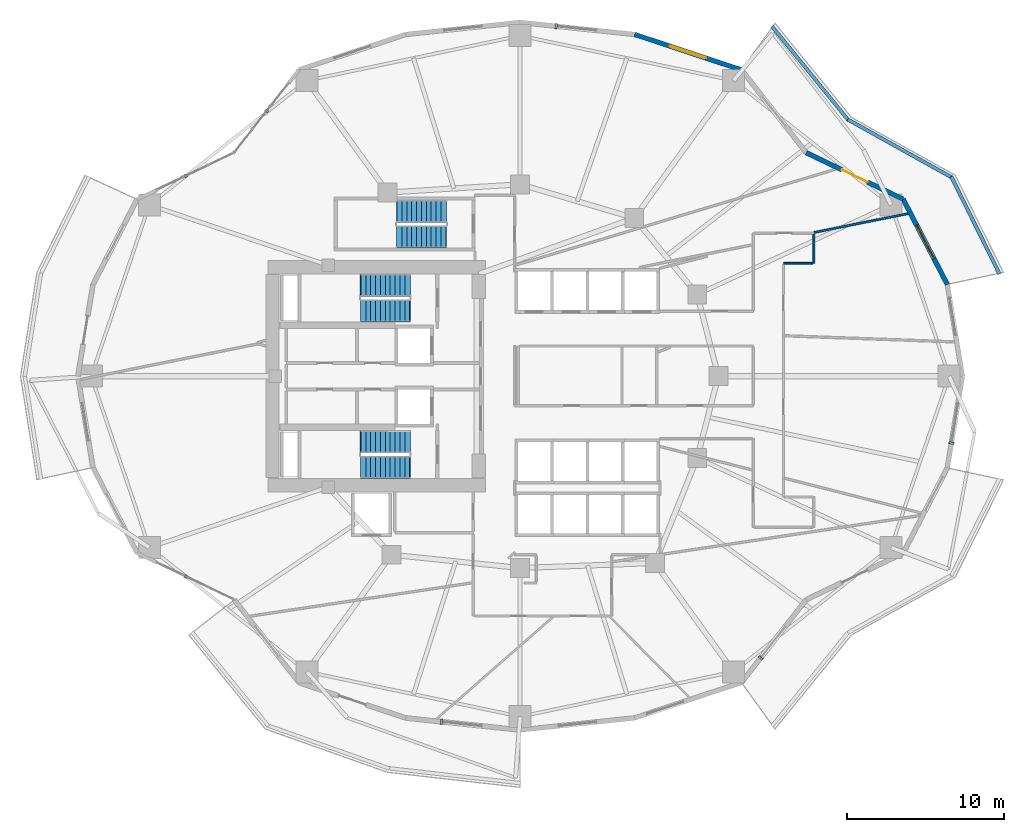
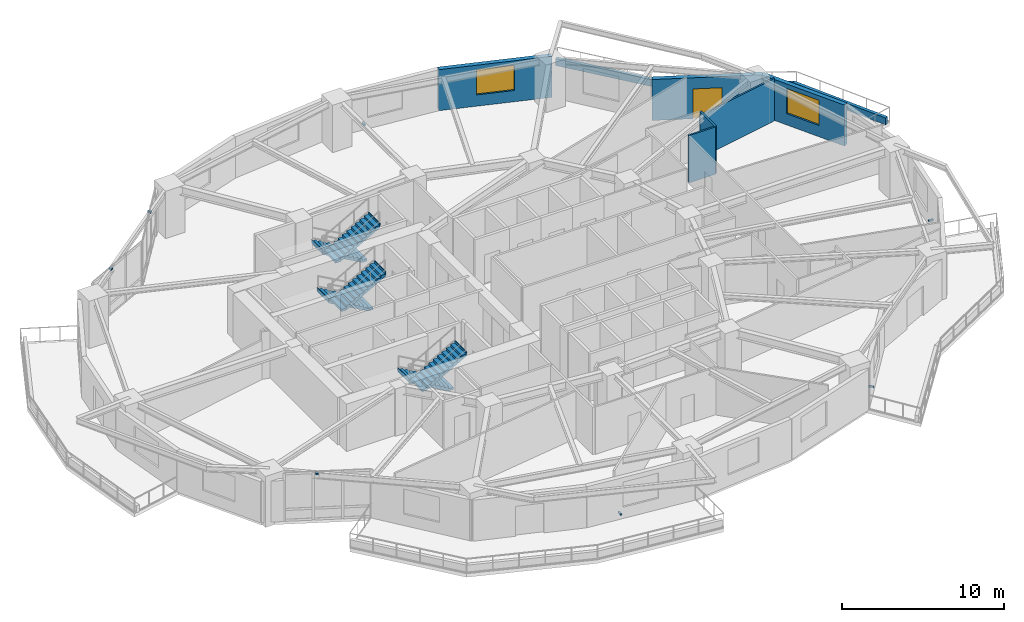
# One storey, part 10 of 14: 9 walls, 7 discrete accessories, 6 stair flights, 2 windows, 1 door, 3 openings, 3 elements without a shape of their own.
"""IFC4 building model written with IfcOpenShell, lengths in metres."""

from ifc_helpers import new_model, si_unit, direction, frame, frame_2d, origin, origin_2d, place, context, subcontext, project, spatial, polyline, rectangle, outline, extrude, material, layer, layer_set, type_object, element, fill, aggregate, save


model = new_model("IFC4")

# Units and contexts
model_context = context("Model", 3, precision=1e-05, world=origin(), true_north=direction((0.0, 1.0)))
body_context = subcontext(model_context, "Body", "Model", "MODEL_VIEW")
ifc_project = project(units=[si_unit("LENGTHUNIT", "METRE"), si_unit("AREAUNIT", "SQUARE_METRE"), si_unit("VOLUMEUNIT", "CUBIC_METRE"), si_unit("PLANEANGLEUNIT", "RADIAN"), si_unit("MASSUNIT", "GRAM", prefix="KILO")], contexts=[model_context])

# Site, building, storey
site_placement = place(None, origin())
site = spatial("IfcSite", under=ifc_project, at=site_placement, CompositionType="ELEMENT")
building_placement = place(site_placement, origin())
building = spatial("IfcBuilding", under=site, at=building_placement, Name="Kolvaren Gate Tower and Convention Centre", CompositionType="ELEMENT")
storey_placement = place(building_placement, frame((0.0, 0.0, 45.75)))
storey = spatial("IfcBuildingStorey", under=building, at=storey_placement, Name="L10", CompositionType="ELEMENT", Elevation=45.75)

# Walls
ifc_material_1 = material(Name="Fire-Rated Acoustic Gypsum Stud Partition", Category="gypsum")
ifc_layer_1 = layer(ifc_material_1, 0.1201171875)
ifc_layer_set_1 = layer_set([ifc_layer_1], Name="Fire-Rated Acoustic Gypsum Stud Partition")
wall_type_1 = type_object("IfcWallType", Name="ARCH-WL-PART-120", PredefinedType="PARTITIONING", material=ifc_layer_set_1)
wall_1_placement = place(storey_placement, frame((48.800048828125, 34.179931640625, 0.0), z_axis=(0.0, 0.0, 1.0), x_axis=(0.0, 1.0, 0.0)))
element("IfcWall", 1, at=wall_1_placement, inside=storey, type_object=wall_type_1, Name="Interior Partition WL-L10-INT-032", PredefinedType="PARTITIONING", context=body_context, shape_type="SweptSolid", body=[
    extrude(rectangle(XDim=1.858154296875, YDim=0.1201171875, at=frame_2d((0.92919921875, 0.0))), origin(), (0.0, 0.0, 1.0), 3.570068359375),
])
wall_2_placement = place(storey_placement, frame((46.8701171875, 34.179931640625, 0.0), z_axis=(0.0, 0.0, 1.0), x_axis=(1.0, 0.0, 0.0)))
element("IfcWall", 2, at=wall_2_placement, inside=storey, type_object=wall_type_1, Name="Interior Partition WL-L10-INT-033", PredefinedType="PARTITIONING", context=body_context, shape_type="SweptSolid", body=[
    extrude(rectangle(XDim=1.867919921875, YDim=0.1201171875, at=frame_2d((0.93408203125, 0.0))), origin(), (0.0, 0.0, 1.0), 3.570068359375),
])
wall_3_placement = place(storey_placement, frame((48.800048828125, 36.13671875, 0.0), z_axis=(0.0, 0.0, 1.0), x_axis=(0.980512919928, 0.196454610165, 0.0)))
element("IfcWall", 3, at=wall_3_placement, inside=storey, type_object=wall_type_1, Name="Interior Partition WL-L10-INT-044", PredefinedType="PARTITIONING", context=body_context, shape_type="SweptSolid", body=[
    extrude(rectangle(XDim=6.10302734375, YDim=0.1201171875, at=frame_2d((3.051513671875, 0.0))), origin(), (0.0, 0.0, 1.0), 3.205078125),
])
ifc_material_2 = material(Name="Piedmont Cream Honed Limestone Cladding", Category="masonry")
ifc_layer_2 = layer(ifc_material_2, 0.219970703125)
ifc_layer_set_2 = layer_set([ifc_layer_2], Name="Piedmont Cream Honed Limestone Cladding")
wall_type_2 = type_object("IfcWallType", Name="ARCH-WL-PLANTER-220", PredefinedType="PARAPET", material=ifc_layer_set_2)
wall_4_placement = place(storey_placement, frame((57.538818359375, 39.696533203125, 0.0), z_axis=(0.0, 0.0, 1.0), x_axis=(0.443578479433, -0.8962355341, 0.0)))
element("IfcWall", 4, at=wall_4_placement, inside=storey, type_object=wall_type_2, Name="Vertical-Forest Balcony Stone Planter Kerb PK-L10-1.1", PredefinedType="PARAPET", context=body_context, shape_type="SweptSolid", body=[
    extrude(rectangle(XDim=6.9111328125, YDim=0.219970703125, at=frame_2d((3.45556640625, 0.0))), origin(), (0.0, 0.0, 1.0), 0.52001953125),
])
wall_5_placement = place(storey_placement, frame((50.959228515625, 43.322021484375, 0.0), z_axis=(0.0, 0.0, 1.0), x_axis=(0.873500119739, -0.48682393205, 0.0)))
element("IfcWall", 5, at=wall_5_placement, inside=storey, type_object=wall_type_2, Name="Vertical-Forest Balcony Stone Planter Kerb PK-L10-1.2", PredefinedType="PARAPET", context=body_context, shape_type="SweptSolid", body=[
    extrude(rectangle(XDim=7.56201171875, YDim=0.219970703125, at=frame_2d((3.781005859375, 0.0))), origin(), (0.0, 0.0, 1.0), 0.52001953125),
])
wall_6_placement = place(storey_placement, frame((46.1357421875, 49.251220703125, 0.0), z_axis=(0.0, 0.0, 1.0), x_axis=(0.630997450658, -0.775784903993, 0.0)))
element("IfcWall", 6, at=wall_6_placement, inside=storey, type_object=wall_type_2, Name="Vertical-Forest Balcony Stone Planter Kerb PK-L10-1.3", PredefinedType="PARAPET", context=body_context, shape_type="SweptSolid", body=[
    extrude(rectangle(XDim=7.7177734375, YDim=0.219970703125, at=frame_2d((3.85888671875, 0.0))), origin(), (0.0, 0.0, 1.0), 0.52001953125),
])

# Wall, opening, window
ifc_layer_3 = layer(ifc_material_2, 0.300048828125)
ifc_layer_set_3 = layer_set([ifc_layer_3], Name="Piedmont Cream Honed Limestone Cladding")
wall_type_3 = type_object("IfcWallType", Name="ARCH-WL-STONE-300", PredefinedType="SOLIDWALL", material=ifc_layer_set_3)
wall_7_placement = place(storey_placement, frame((54.48193359375, 38.25, 0.0), z_axis=(0.0, 0.0, 1.0), x_axis=(0.459809804413, -0.88801742312, 0.0)))
wall_7 = element("IfcWall", 7, at=wall_7_placement, inside=storey, type_object=wall_type_3, Name="Tower L10 Honed Stone Spandrel Wall EW-01", PredefinedType="SOLIDWALL", context=body_context, shape_type="SweptSolid", body=[
    extrude(rectangle(XDim=6.11083984375, YDim=0.300048828125, at=frame_2d((3.055419921875, 0.0))), origin(), (0.0, 0.0, 1.0), 3.093017578125),
])
opening_1_placement = place(wall_7_placement, frame((1.85498046875, 0.0, 0.85009765625)))
opening_1 = element("IfcOpeningElement", 8, at=opening_1_placement, cuts=wall_7, Name="Opening W-01", PredefinedType="OPENING", context=body_context, shape_type="SweptSolid", body=[
    extrude(rectangle(XDim=2.39990234375, YDim=1.89990234375, at=frame_2d((1.199951171875, 0.949951171875))), frame((0.0, 0.159912109375, 0.0), z_axis=(0.0, -1.0, 0.0), x_axis=(1.0, 0.0, 0.0)), (0.0, 0.0, 1.0), 0.320068359375),
])
ifc_material_3 = material(Name="Low-E Triple Insulated Glazing Unit 44 mm", Category="glass")
window_type = type_object("IfcWindowType", Name="ARCH-WN-OFF-2400", PartitioningType="SINGLE_PANEL", PredefinedType="WINDOW", material=ifc_material_3)
window_1_placement = place(opening_1_placement, origin())
window_1 = element("IfcWindow", 9, at=window_1_placement, inside=storey, type_object=window_type, Name="Tower L10 Punched Stone Facade Window W-01", OverallHeight=1.89990234375, OverallWidth=2.39990234375, PartitioningType="SINGLE_PANEL", PredefinedType="WINDOW", context=body_context, shape_type="SweptSolid", body=[
    extrude(rectangle(XDim=2.39990234375, YDim=1.89990234375, at=frame_2d((1.199951171875, 0.949951171875))), frame((0.0, 0.030029296875, 0.0), z_axis=(0.0, -1.0, 0.0), x_axis=(1.0, 0.0, 0.0)), (0.0, 0.0, 1.0), 0.06005859375),
])
fill(opening_1, window_1)

# Wall, opening, door
wall_8_placement = place(storey_placement, frame((48.315185546875, 41.212890625, 0.0), z_axis=(0.0, 0.0, 1.0), x_axis=(0.901360393999, -0.433069786673, 0.0)))
wall_8 = element("IfcWall", 10, at=wall_8_placement, inside=storey, type_object=wall_type_3, Name="Tower L10 Honed Stone Spandrel Wall EW-02", PredefinedType="SOLIDWALL", context=body_context, shape_type="SweptSolid", body=[
    extrude(rectangle(XDim=6.841552734375, YDim=0.300048828125, at=frame_2d((3.4208984375, 0.0))), origin(), (0.0, 0.0, 1.0), 3.093017578125),
])
opening_2_placement = place(wall_8_placement, frame((2.52099609375, 0.0, 0.0)))
opening_2 = element("IfcOpeningElement", 11, at=opening_2_placement, cuts=wall_8, Name="Opening DB-01", PredefinedType="OPENING", context=body_context, shape_type="SweptSolid", body=[
    extrude(rectangle(XDim=1.800048828125, YDim=2.25, at=frame_2d((0.89990234375, 1.125))), frame((0.0, 0.159912109375, 0.0), z_axis=(0.0, -1.0, 0.0), x_axis=(1.0, 0.0, 0.0)), (0.0, 0.0, 1.0), 0.320068359375),
])
ifc_material_4 = material(Name="Anodized Architectural Aluminium Alloy 6063-T6", Category="aluminium")
door_type = type_object("IfcDoorType", Name="ARCH-DR-BALC-1800", OperationType="SLIDING_TO_LEFT", PredefinedType="DOOR", material=ifc_material_4)
door_placement = place(opening_2_placement, origin())
door = element("IfcDoor", 12, at=door_placement, inside=storey, type_object=door_type, Name="Planted Sky Terrace Access Door DB-L10-02", OperationType="SLIDING_TO_LEFT", OverallHeight=2.25, OverallWidth=1.800048828125, PredefinedType="DOOR", context=body_context, shape_type="SweptSolid", body=[
    extrude(rectangle(XDim=1.800048828125, YDim=2.25, at=frame_2d((0.89990234375, 1.125))), frame((0.0, 0.02490234375, 0.0), z_axis=(0.0, -1.0, 0.0), x_axis=(1.0, 0.0, 0.0)), (0.0, 0.0, 1.0), 0.050048828125),
])
fill(opening_2, door)

# Wall, opening, window
wall_9_placement = place(storey_placement, frame((37.404296875, 48.7333984375, 0.0), z_axis=(0.0, 0.0, 1.0), x_axis=(0.949238715533, -0.31455661006, 0.0)))
wall_9 = element("IfcWall", 13, at=wall_9_placement, inside=storey, type_object=wall_type_3, Name="Tower L10 Honed Stone Spandrel Wall EW-04", PredefinedType="SOLIDWALL", context=body_context, shape_type="SweptSolid", body=[
    extrude(rectangle(XDim=7.14599609375, YDim=0.300048828125, at=frame_2d((3.572998046875, 0.0))), origin(), (0.0, 0.0, 1.0), 3.093017578125),
])
opening_3_placement = place(wall_9_placement, frame((2.373046875, 0.0, 0.85009765625)))
opening_3 = element("IfcOpeningElement", 14, at=opening_3_placement, cuts=wall_9, Name="Opening W-01", PredefinedType="OPENING", context=body_context, shape_type="SweptSolid", body=[
    extrude(rectangle(XDim=2.39990234375, YDim=1.89990234375, at=frame_2d((1.199951171875, 0.949951171875))), frame((0.0, 0.159912109375, 0.0), z_axis=(0.0, -1.0, 0.0), x_axis=(1.0, 0.0, 0.0)), (0.0, 0.0, 1.0), 0.320068359375),
])
window_2_placement = place(opening_3_placement, origin())
window_2 = element("IfcWindow", 15, at=window_2_placement, inside=storey, type_object=window_type, Name="Tower L10 Punched Stone Facade Window W-04", OverallHeight=1.89990234375, OverallWidth=2.39990234375, PartitioningType="SINGLE_PANEL", PredefinedType="WINDOW", context=body_context, shape_type="SweptSolid", body=[
    extrude(rectangle(XDim=2.39990234375, YDim=1.89990234375, at=frame_2d((1.199951171875, 0.949951171875))), frame((0.0, 0.030029296875, 0.0), z_axis=(0.0, -1.0, 0.0), x_axis=(1.0, 0.0, 0.0)), (0.0, 0.0, 1.0), 0.06005859375),
])
fill(opening_3, window_2)

# Stair, stair flights
ifc_material_5 = material(Name="Concrete C50/60", Category="concrete")
stair_type = type_object("IfcStairType", Name="STR-STAIR-CORE", PredefinedType="HALF_TURN_STAIR", material=ifc_material_5)
stair_1_placement = place(storey_placement, origin())
stair_1 = element("IfcStair", 16, at=stair_1_placement, inside=storey, type_object=stair_type, Name="L10 Tower North Exit Stair ST-T1", PredefinedType="HALF_TURN_STAIR")
stair_flight_type = type_object("IfcStairFlightType", Name="STR-SFL-1420", PredefinedType="STRAIGHT", material=ifc_material_5)
stair_flight_1_placement = place(storey_placement, frame((23.10009765625, 32.7900390625, 0.0), z_axis=(0.0, 0.0, 1.0), x_axis=(-1.0, 0.0, 0.0)))
stair_flight_1 = element("IfcStairFlight", 17, at=stair_flight_1_placement, type_object=stair_flight_type, Name="ST-T1 flight 1", NumberOfRisers=11, NumberOfTreads=10, PredefinedType="STRAIGHT", RiserHeight=0.175, TreadLength=0.31, context=body_context, shape_type="SweptSolid", body=[
    extrude(outline(polyline([(-0.034912109375, 0.0), (-0.034912109375, 0.175048828125), (0.31005859375, 0.175048828125), (0.31005859375, 0.35009765625), (0.6201171875, 0.35009765625), (0.6201171875, 0.52490234375), (0.929931640625, 0.52490234375), (0.929931640625, 0.699951171875), (1.239990234375, 0.699951171875), (1.239990234375, 0.875), (1.550048828125, 0.875), (1.550048828125, 1.050048828125), (1.860107421875, 1.050048828125), (1.860107421875, 1.22509765625), (2.169921875, 1.22509765625), (2.169921875, 1.39990234375), (2.47998046875, 1.39990234375), (2.47998046875, 1.574951171875), (2.7900390625, 1.574951171875), (2.7900390625, 1.75), (3.10009765625, 1.75), (3.10009765625, 1.925048828125), (3.14501953125, 1.925048828125), (3.14501953125, 1.764892578125), (3.10009765625, 1.577880859375), (0.304931640625, 0.0), (-0.034912109375, 0.0)])), frame((0.0, 0.7099609375, 0.0), z_axis=(0.0, -1.0, 0.0), x_axis=(1.0, 0.0, 0.0)), (0.0, 0.0, 1.0), 1.419921875),
])
stair_flight_2_placement = place(storey_placement, frame((20.0, 31.169921875, 1.925048828125), z_axis=(0.0, 0.0, 1.0), x_axis=(1.0, 0.0, 0.0)))
stair_flight_2 = element("IfcStairFlight", 18, at=stair_flight_2_placement, type_object=stair_flight_type, Name="ST-T1 flight 2", NumberOfRisers=11, NumberOfTreads=10, PredefinedType="STRAIGHT", RiserHeight=0.175, TreadLength=0.31, context=body_context, shape_type="SweptSolid", body=[
    extrude(outline(polyline([(-0.034912109375, 0.0), (-0.034912109375, 0.175048828125), (0.31005859375, 0.175048828125), (0.31005859375, 0.35009765625), (0.6201171875, 0.35009765625), (0.6201171875, 0.52490234375), (0.929931640625, 0.52490234375), (0.929931640625, 0.699951171875), (1.239990234375, 0.699951171875), (1.239990234375, 0.875), (1.550048828125, 0.875), (1.550048828125, 1.050048828125), (1.860107421875, 1.050048828125), (1.860107421875, 1.22509765625), (2.169921875, 1.22509765625), (2.169921875, 1.39990234375), (2.47998046875, 1.39990234375), (2.47998046875, 1.574951171875), (2.7900390625, 1.574951171875), (2.7900390625, 1.75), (3.10009765625, 1.75), (3.10009765625, 1.925048828125), (3.14501953125, 1.925048828125), (3.14501953125, 1.764892578125), (3.10009765625, 1.577880859375), (0.304931640625, 0.0), (-0.034912109375, 0.0)])), frame((0.0, 0.7099609375, 0.0), z_axis=(0.0, -1.0, 0.0), x_axis=(1.0, 0.0, 0.0)), (0.0, 0.0, 1.0), 1.419921875),
])
aggregate(stair_1, [stair_flight_1, stair_flight_2])

stair_2_placement = place(storey_placement, origin())
stair_2 = element("IfcStair", 19, at=stair_2_placement, inside=storey, type_object=stair_type, Name="L10 Tower South Exit Stair ST-T2", PredefinedType="HALF_TURN_STAIR")
stair_flight_3_placement = place(storey_placement, frame((23.10009765625, 22.830078125, 0.0), z_axis=(0.0, 0.0, 1.0), x_axis=(-1.0, 0.0, 0.0)))
stair_flight_3 = element("IfcStairFlight", 20, at=stair_flight_3_placement, type_object=stair_flight_type, Name="ST-T2 flight 1", NumberOfRisers=11, NumberOfTreads=10, PredefinedType="STRAIGHT", RiserHeight=0.175, TreadLength=0.31, context=body_context, shape_type="SweptSolid", body=[
    extrude(outline(polyline([(-0.034912109375, 0.0), (-0.034912109375, 0.175048828125), (0.31005859375, 0.175048828125), (0.31005859375, 0.35009765625), (0.6201171875, 0.35009765625), (0.6201171875, 0.52490234375), (0.929931640625, 0.52490234375), (0.929931640625, 0.699951171875), (1.239990234375, 0.699951171875), (1.239990234375, 0.875), (1.550048828125, 0.875), (1.550048828125, 1.050048828125), (1.860107421875, 1.050048828125), (1.860107421875, 1.22509765625), (2.169921875, 1.22509765625), (2.169921875, 1.39990234375), (2.47998046875, 1.39990234375), (2.47998046875, 1.574951171875), (2.7900390625, 1.574951171875), (2.7900390625, 1.75), (3.10009765625, 1.75), (3.10009765625, 1.925048828125), (3.14501953125, 1.925048828125), (3.14501953125, 1.764892578125), (3.10009765625, 1.577880859375), (0.304931640625, 0.0), (-0.034912109375, 0.0)])), frame((0.0, 0.7099609375, 0.0), z_axis=(0.0, -1.0, 0.0), x_axis=(1.0, 0.0, 0.0)), (0.0, 0.0, 1.0), 1.419921875),
])
stair_flight_4_placement = place(storey_placement, frame((20.0, 21.2099609375, 1.925048828125), z_axis=(0.0, 0.0, 1.0), x_axis=(1.0, 0.0, 0.0)))
stair_flight_4 = element("IfcStairFlight", 21, at=stair_flight_4_placement, type_object=stair_flight_type, Name="ST-T2 flight 2", NumberOfRisers=11, NumberOfTreads=10, PredefinedType="STRAIGHT", RiserHeight=0.175, TreadLength=0.31, context=body_context, shape_type="SweptSolid", body=[
    extrude(outline(polyline([(-0.034912109375, 0.0), (-0.034912109375, 0.175048828125), (0.31005859375, 0.175048828125), (0.31005859375, 0.35009765625), (0.6201171875, 0.35009765625), (0.6201171875, 0.52490234375), (0.929931640625, 0.52490234375), (0.929931640625, 0.699951171875), (1.239990234375, 0.699951171875), (1.239990234375, 0.875), (1.550048828125, 0.875), (1.550048828125, 1.050048828125), (1.860107421875, 1.050048828125), (1.860107421875, 1.22509765625), (2.169921875, 1.22509765625), (2.169921875, 1.39990234375), (2.47998046875, 1.39990234375), (2.47998046875, 1.574951171875), (2.7900390625, 1.574951171875), (2.7900390625, 1.75), (3.10009765625, 1.75), (3.10009765625, 1.925048828125), (3.14501953125, 1.925048828125), (3.14501953125, 1.764892578125), (3.10009765625, 1.577880859375), (0.304931640625, 0.0), (-0.034912109375, 0.0)])), frame((0.0, 0.7099609375, 0.0), z_axis=(0.0, -1.0, 0.0), x_axis=(1.0, 0.0, 0.0)), (0.0, 0.0, 1.0), 1.419921875),
])
aggregate(stair_2, [stair_flight_3, stair_flight_4])

stair_3_placement = place(storey_placement, origin())
stair_3 = element("IfcStair", 22, at=stair_3_placement, inside=storey, type_object=stair_type, Name="L10 Tower Mid-Zone Exit Stair ST-T3", PredefinedType="HALF_TURN_STAIR")
stair_flight_5_placement = place(storey_placement, frame((25.39990234375, 37.489990234375, 0.0), z_axis=(0.0, 0.0, 1.0), x_axis=(-1.0, 0.0, 0.0)))
stair_flight_5 = element("IfcStairFlight", 23, at=stair_flight_5_placement, type_object=stair_flight_type, Name="ST-T3 flight 1", NumberOfRisers=11, NumberOfTreads=10, PredefinedType="STRAIGHT", RiserHeight=0.175, TreadLength=0.31, context=body_context, shape_type="SweptSolid", body=[
    extrude(outline(polyline([(-0.034912109375, 0.0), (-0.034912109375, 0.175048828125), (0.31005859375, 0.175048828125), (0.31005859375, 0.35009765625), (0.6201171875, 0.35009765625), (0.6201171875, 0.52490234375), (0.929931640625, 0.52490234375), (0.929931640625, 0.699951171875), (1.239990234375, 0.699951171875), (1.239990234375, 0.875), (1.550048828125, 0.875), (1.550048828125, 1.050048828125), (1.860107421875, 1.050048828125), (1.860107421875, 1.22509765625), (2.169921875, 1.22509765625), (2.169921875, 1.39990234375), (2.47998046875, 1.39990234375), (2.47998046875, 1.574951171875), (2.7900390625, 1.574951171875), (2.7900390625, 1.75), (3.10009765625, 1.75), (3.10009765625, 1.925048828125), (3.14501953125, 1.925048828125), (3.14501953125, 1.764892578125), (3.10009765625, 1.577880859375), (0.304931640625, 0.0), (-0.034912109375, 0.0)])), frame((0.0, 0.7099609375, 0.0), z_axis=(0.0, -1.0, 0.0), x_axis=(1.0, 0.0, 0.0)), (0.0, 0.0, 1.0), 1.419921875),
])
stair_flight_6_placement = place(storey_placement, frame((22.300048828125, 35.8701171875, 1.925048828125), z_axis=(0.0, 0.0, 1.0), x_axis=(1.0, 0.0, 0.0)))
stair_flight_6 = element("IfcStairFlight", 24, at=stair_flight_6_placement, type_object=stair_flight_type, Name="ST-T3 flight 2", NumberOfRisers=11, NumberOfTreads=10, PredefinedType="STRAIGHT", RiserHeight=0.175, TreadLength=0.31, context=body_context, shape_type="SweptSolid", body=[
    extrude(outline(polyline([(-0.034912109375, 0.0), (-0.034912109375, 0.175048828125), (0.31005859375, 0.175048828125), (0.31005859375, 0.35009765625), (0.6201171875, 0.35009765625), (0.6201171875, 0.52490234375), (0.929931640625, 0.52490234375), (0.929931640625, 0.699951171875), (1.239990234375, 0.699951171875), (1.239990234375, 0.875), (1.550048828125, 0.875), (1.550048828125, 1.050048828125), (1.860107421875, 1.050048828125), (1.860107421875, 1.22509765625), (2.169921875, 1.22509765625), (2.169921875, 1.39990234375), (2.47998046875, 1.39990234375), (2.47998046875, 1.574951171875), (2.7900390625, 1.574951171875), (2.7900390625, 1.75), (3.10009765625, 1.75), (3.10009765625, 1.925048828125), (3.14501953125, 1.925048828125), (3.14501953125, 1.764892578125), (3.10009765625, 1.577880859375), (0.304931640625, 0.0), (-0.034912109375, 0.0)])), frame((0.0, 0.7099609375, 0.0), z_axis=(0.0, -1.0, 0.0), x_axis=(1.0, 0.0, 0.0)), (0.0, 0.0, 1.0), 1.419921875),
])
aggregate(stair_3, [stair_flight_5, stair_flight_6])

# Discrete accessories
discrete_accessory_type = type_object("IfcDiscreteAccessoryType", Name="ARCH-ACC-BRACKET-120", PredefinedType="BRACKET", material=ifc_material_4)
discrete_accessory_placement = place(storey_placement, frame((32.412353515625, 49.259033203125, 0.2900390625), z_axis=(0.0, 0.0, 1.0), x_axis=(0.994498884311, -0.104747167526, 0.0)))
element("IfcDiscreteAccessory", 25, at=discrete_accessory_placement, inside=storey, type_object=discrete_accessory_type, Name="Ceramic Fin Wall Anchor Bracket FBK-L10-05", PredefinedType="BRACKET", context=body_context, shape_type="SweptSolid", body=[
    extrude(rectangle(XDim=0.1201171875, YDim=0.320068359375, at=origin_2d()), origin(), (0.0, 0.0, 1.0), 0.1201171875),
])
for number, where, z_axis, x_axis, name in (
    (26, (13.99853515625, 43.84912109375, 3.389892578125), (0.0, 0.0, 1.0), (0.616424499081, 0.787414018756, 0.0), "Solar Screen Spandrel Anchor Bracket BK-L10-08"),
    (27, (8.851318359375, 39.7314453125, 3.389892578125), (0.0, 0.0, 1.0), (0.90136443672, 0.433061372343, 0.0), "Solar Screen Spandrel Anchor Bracket BK-L10-09"),
    (28, (8.851318359375, 14.2685546875, 3.389892578125), (0.0, 0.0, 1.0), (0.90136443672, -0.433061372343, 0.0), "Solar Screen Spandrel Anchor Bracket BK-L10-14"),
):
    element("IfcDiscreteAccessory", number, at=place(storey_placement, frame(where, z_axis=z_axis, x_axis=x_axis)), inside=storey, type_object=discrete_accessory_type, Name=name, PredefinedType="BRACKET", context=body_context, shape_type="SweptSolid", body=[
        extrude(rectangle(XDim=0.179931640625, YDim=0.219970703125, at=origin_2d()), origin(), (0.0, 0.0, 1.0), 0.1201171875),
    ])
for number, where, z_axis, x_axis, name in (
    (29, (25.133056640625, 5.02587890625, 0.2900390625), (0.0, 0.0, 1.0), (0.994498884311, -0.104747167526, 0.0), "Ceramic Fin Wall Anchor Bracket FBK-L10-17"),
    (30, (45.4130859375, 9.079833984375, 0.2900390625), (0.0, 0.0, 1.0), (0.616424499081, 0.787414018756, 0.0), "Ceramic Fin Wall Anchor Bracket FBK-L10-20"),
    (31, (57.550048828125, 22.74658203125, 0.2900390625), (0.0, 0.0, 1.0), (0.162377123682, 0.986728772108, 0.0), "Ceramic Fin Wall Anchor Bracket FBK-L10-23"),
):
    element("IfcDiscreteAccessory", number, at=place(storey_placement, frame(where, z_axis=z_axis, x_axis=x_axis)), inside=storey, type_object=discrete_accessory_type, Name=name, PredefinedType="BRACKET", context=body_context, shape_type="SweptSolid", body=[
        extrude(rectangle(XDim=0.1201171875, YDim=0.320068359375, at=origin_2d()), origin(), (0.0, 0.0, 1.0), 0.1201171875),
    ])

save(model, "model.ifc")
